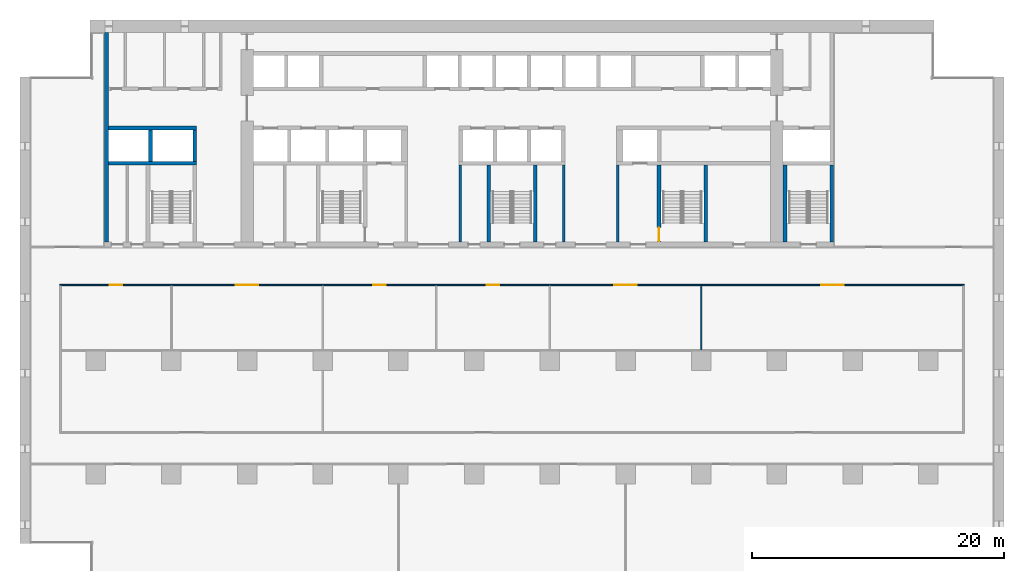
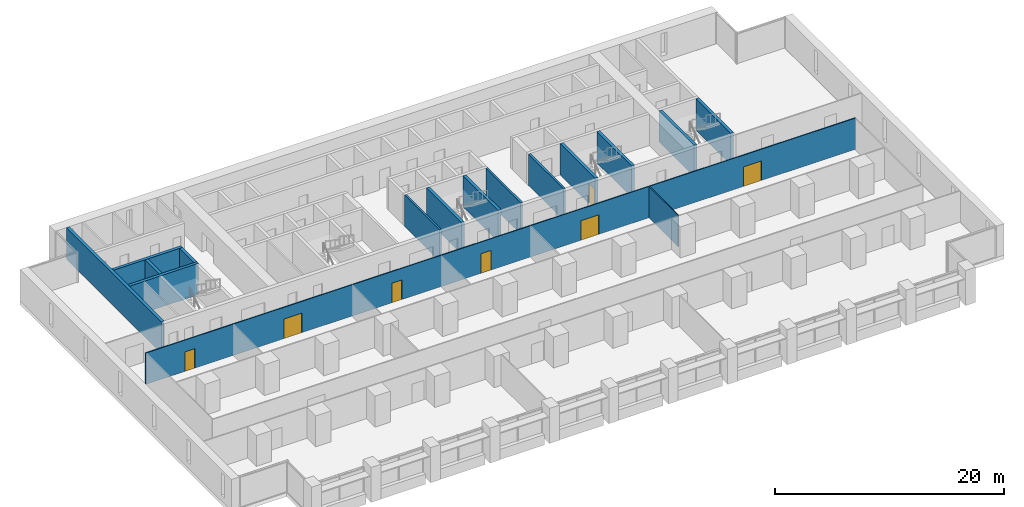
# One storey, part 10 of 17: 16 walls, 7 doors, 7 openings.
"""IFC4 building model written with IfcOpenShell, lengths in metres."""

from ifc_helpers import new_model, si_unit, direction, frame, frame_2d, origin, place, context, subcontext, project, spatial, rectangle, extrude, material, layer, layer_set, type_object, element, fill, save


model = new_model("IFC4")

# Units and contexts
model_context = context("Model", 3, precision=1e-05, world=origin(), true_north=direction((0.0, 1.0)))
body_context = subcontext(model_context, "Body", "Model", "MODEL_VIEW")
ifc_project = project(units=[si_unit("LENGTHUNIT", "METRE"), si_unit("AREAUNIT", "SQUARE_METRE"), si_unit("VOLUMEUNIT", "CUBIC_METRE"), si_unit("PLANEANGLEUNIT", "RADIAN"), si_unit("MASSUNIT", "GRAM", prefix="KILO")], contexts=[model_context])

# Site, building, storey
site_placement = place(None, origin())
site = spatial("IfcSite", under=ifc_project, at=site_placement, CompositionType="ELEMENT")
building_placement = place(site_placement, origin())
building = spatial("IfcBuilding", under=site, at=building_placement, Name="Calvaro Tower", CompositionType="ELEMENT")
storey_placement = place(building_placement, frame((0.0, 0.0, 71.25)))
storey = spatial("IfcBuildingStorey", under=building, at=storey_placement, Name="L17", CompositionType="ELEMENT", Elevation=71.25)

# Walls
ifc_material_1 = material(Name="Blockwork partition", Category="masonry")
ifc_layer_1 = layer(ifc_material_1, 0.199951171875)
ifc_layer_set_1 = layer_set([ifc_layer_1], Name="Blockwork partition")
wall_type_1 = type_object("IfcWallType", Name="Core partition 200 REI 120", PredefinedType="PARTITIONING", material=ifc_layer_set_1)
for number, where, z_axis, x_axis, name in (
    (1, (34.89990234375, 28.39990234375, 0.0), (0.0, 0.0, 1.0), (0.0, 1.0, 0.0), "Core partition"),
    (2, (43.10009765625, 28.39990234375, 0.0), (0.0, 0.0, 1.0), (0.0, 1.0, 0.0), "Core partition"),
    (3, (47.39990234375, 28.39990234375, 0.0), (0.0, 0.0, 1.0), (0.0, 1.0, 0.0), "Core partition"),
):
    element("IfcWall", number, at=place(storey_placement, frame(where, z_axis=z_axis, x_axis=x_axis)), inside=storey, type_object=wall_type_1, Name=name, PredefinedType="PARTITIONING", context=body_context, shape_type="SweptSolid", body=[
        extrude(rectangle(XDim=6.10009765625, YDim=0.199951171875, at=frame_2d((3.050048828125, 0.0))), origin(), (0.0, 0.0, 1.0), 3.35009765625),
    ])
ifc_material_2 = material(Name="Concrete C80/95", Category="concrete")
ifc_layer_2 = layer(ifc_material_2, 0.300048828125)
ifc_layer_set_2 = layer_set([ifc_layer_2], Name="Concrete C80/95")
wall_type_2 = type_object("IfcWallType", Name="Core wall C80/95 300", PredefinedType="SHEAR", material=ifc_layer_set_2)
wall_1_placement = place(storey_placement, frame((6.85009765625, 28.39990234375, 0.0), z_axis=(0.0, 0.0, 1.0), x_axis=(0.0, 1.0, 0.0)))
element("IfcWall", 4, at=wall_1_placement, inside=storey, type_object=wall_type_2, Name="Core wall, boundary", PredefinedType="SHEAR", context=body_context, shape_type="SweptSolid", body=[
    extrude(rectangle(XDim=16.60009765625, YDim=0.300048828125, at=frame_2d((8.300048828125, 0.0))), origin(), (0.0, 0.0, 1.0), 3.35009765625),
])
for number, where, z_axis, x_axis, name in (
    (5, (37.14990234375, 28.39990234375, 0.0), (0.0, 0.0, 1.0), (0.0, 1.0, 0.0), "Core wall, stair enclosure"),
    (6, (40.85009765625, 28.39990234375, 0.0), (0.0, 0.0, 1.0), (0.0, 1.0, 0.0), "Core wall, stair enclosure"),
):
    element("IfcWall", number, at=place(storey_placement, frame(where, z_axis=z_axis, x_axis=x_axis)), inside=storey, type_object=wall_type_2, Name=name, PredefinedType="SHEAR", context=body_context, shape_type="SweptSolid", body=[
        extrude(rectangle(XDim=6.10009765625, YDim=0.300048828125, at=frame_2d((3.050048828125, 0.0))), origin(), (0.0, 0.0, 1.0), 3.35009765625),
    ])

# Wall, opening, door
wall_2_placement = place(storey_placement, frame((50.64990234375, 34.5, 0.0), z_axis=(0.0, 0.0, 1.0), x_axis=(0.0, -1.0, 0.0)))
wall_2 = element("IfcWall", 7, at=wall_2_placement, inside=storey, type_object=wall_type_2, Name="Core wall, stair enclosure", PredefinedType="SHEAR", context=body_context, shape_type="SweptSolid", body=[
    extrude(rectangle(XDim=6.10009765625, YDim=0.300048828125, at=frame_2d((3.050048828125, 0.0))), origin(), (0.0, 0.0, 1.0), 3.35009765625),
])
opening_1_placement = place(wall_2_placement, frame((4.949951171875, 0.0, 0.0)))
opening_1 = element("IfcOpeningElement", 8, at=opening_1_placement, cuts=wall_2, Name="Opening FD11D", PredefinedType="OPENING", context=body_context, shape_type="SweptSolid", body=[
    extrude(rectangle(XDim=1.10009765625, YDim=2.10009765625, at=frame_2d((0.550048828125, 1.050048828125))), frame((0.0, 0.159912109375, 0.0), z_axis=(0.0, -1.0, 0.0), x_axis=(1.0, 0.0, 0.0)), (0.0, 0.0, 1.0), 0.320068359375),
])
ifc_material_3 = material(Name="Steel door set", Category="steel")
door_type_1 = type_object("IfcDoorType", Name="Fire door 1100 FD30S", OperationType="SINGLE_SWING_LEFT", PredefinedType="DOOR", material=ifc_material_3)
door_1_placement = place(opening_1_placement, origin())
door_1 = element("IfcDoor", 9, at=door_1_placement, inside=storey, type_object=door_type_1, Name="Fire door", OperationType="SINGLE_SWING_RIGHT", OverallHeight=2.10009765625, OverallWidth=1.10009765625, PredefinedType="DOOR", context=body_context, shape_type="SweptSolid", body=[
    extrude(rectangle(XDim=1.10009765625, YDim=2.10009765625, at=frame_2d((0.550048828125, 1.050048828125))), frame((0.0, 0.02490234375, 0.0), z_axis=(0.0, -1.0, 0.0), x_axis=(1.0, 0.0, 0.0)), (0.0, 0.0, 1.0), 0.050048828125),
])
fill(opening_1, door_1)

# Walls
for number, where, z_axis, x_axis, name in (
    (10, (54.35009765625, 28.39990234375, 0.0), (0.0, 0.0, 1.0), (0.0, 1.0, 0.0), "Core wall, stair enclosure"),
    (11, (60.64990234375, 28.39990234375, 0.0), (0.0, 0.0, 1.0), (0.0, 1.0, 0.0), "Core wall, stair enclosure"),
    (12, (64.35009765625, 28.39990234375, 0.0), (0.0, 0.0, 1.0), (0.0, 1.0, 0.0), "Core wall, stair enclosure"),
):
    element("IfcWall", number, at=place(storey_placement, frame(where, z_axis=z_axis, x_axis=x_axis)), inside=storey, type_object=wall_type_2, Name=name, PredefinedType="SHEAR", context=body_context, shape_type="SweptSolid", body=[
        extrude(rectangle(XDim=6.10009765625, YDim=0.300048828125, at=frame_2d((3.050048828125, 0.0))), origin(), (0.0, 0.0, 1.0), 3.35009765625),
    ])
for number, where, z_axis, x_axis, name in (
    (13, (7.0, 34.64990234375, 0.0), (0.0, 0.0, 1.0), (1.0, 0.0, 0.0), "Core wall, lift shaft"),
    (14, (7.0, 37.449951171875, 0.0), (0.0, 0.0, 1.0), (1.0, 0.0, 0.0), "Core wall, lift shaft"),
):
    element("IfcWall", number, at=place(storey_placement, frame(where, z_axis=z_axis, x_axis=x_axis)), inside=storey, type_object=wall_type_2, Name=name, PredefinedType="SHEAR", context=body_context, shape_type="SweptSolid", body=[
        extrude(rectangle(XDim=7.0, YDim=0.300048828125, at=frame_2d((3.5, 0.0))), origin(), (0.0, 0.0, 1.0), 3.35009765625),
    ])
for number, where, z_axis, x_axis, name in (
    (15, (13.85009765625, 34.800048828125, 0.0), (0.0, 0.0, 1.0), (0.0, 1.0, 0.0), "Core wall, lift shaft"),
    (16, (10.35009765625, 34.800048828125, 0.0), (0.0, 0.0, 1.0), (0.0, 1.0, 0.0), "Core wall, lift shaft"),
):
    element("IfcWall", number, at=place(storey_placement, frame(where, z_axis=z_axis, x_axis=x_axis)), inside=storey, type_object=wall_type_2, Name=name, PredefinedType="SHEAR", context=body_context, shape_type="SweptSolid", body=[
        extrude(rectangle(XDim=2.5, YDim=0.300048828125, at=frame_2d((1.25, 0.0))), origin(), (0.0, 0.0, 1.0), 3.35009765625),
    ])
ifc_material_4 = material(Name="Plasterboard on steel studs", Category="steel")
ifc_layer_3 = layer(ifc_material_4, 0.10009765625)
ifc_layer_set_3 = layer_set([ifc_layer_3], Name="Plasterboard on steel studs")
wall_type_3 = type_object("IfcWallType", Name="Partition 100", PredefinedType="PARTITIONING", material=ifc_layer_set_3)
wall_3_placement = place(storey_placement, frame((54.0, 19.85009765625, 0.0), z_axis=(0.0, 0.0, 1.0), x_axis=(0.0, 1.0, 0.0)))
element("IfcWall", 17, at=wall_3_placement, inside=storey, type_object=wall_type_3, Name="Partition T13.W015", PredefinedType="PARTITIONING", context=body_context, shape_type="SweptSolid", body=[
    extrude(rectangle(XDim=5.099853515625, YDim=0.10009765625, at=frame_2d((2.5498046875, 0.0))), origin(), (0.0, 0.0, 1.0), 3.35009765625),
])

# Wall, openings, doors
ifc_material_5 = material(Name="Plasterboard on steel studs", Category="steel")
ifc_layer_4 = layer(ifc_material_5, 0.10009765625)
ifc_layer_set_4 = layer_set([ifc_layer_4], Name="Plasterboard on steel studs")
wall_type_4 = type_object("IfcWallType", Name="Partition 100 REI 120", PredefinedType="PARTITIONING", material=ifc_layer_set_4)
wall_4_placement = place(storey_placement, frame((3.14990234375, 25.0, 0.0), z_axis=(0.0, 0.0, 1.0), x_axis=(1.0, 0.0, 0.0)))
wall_4 = element("IfcWall", 18, at=wall_4_placement, inside=storey, type_object=wall_type_4, Name="Partition T13.W004", PredefinedType="PARTITIONING", context=body_context, shape_type="SweptSolid", body=[
    extrude(rectangle(XDim=71.7001953125, YDim=0.10009765625, at=frame_2d((35.85009765625, 0.0))), origin(), (0.0, 0.0, 1.0), 3.35009765625),
])
opening_2_placement = place(wall_4_placement, frame((3.949951171875, 0.0, 0.0)))
opening_2 = element("IfcOpeningElement", 19, at=opening_2_placement, cuts=wall_4, Name="Opening T13.010", PredefinedType="OPENING", context=body_context, shape_type="SweptSolid", body=[
    extrude(rectangle(XDim=1.0, YDim=2.10009765625, at=frame_2d((0.5, 1.050048828125))), frame((0.0, 0.06005859375, 0.0), z_axis=(0.0, -1.0, 0.0), x_axis=(1.0, 0.0, 0.0)), (0.0, 0.0, 1.0), 0.1201171875),
])
opening_3_placement = place(wall_4_placement, frame((13.949951171875, 0.0, 0.0)))
opening_3 = element("IfcOpeningElement", 20, at=opening_3_placement, cuts=wall_4, Name="Opening T13.011", PredefinedType="OPENING", context=body_context, shape_type="SweptSolid", body=[
    extrude(rectangle(XDim=1.800048828125, YDim=2.10009765625, at=frame_2d((0.89990234375, 1.050048828125))), frame((0.0, 0.06005859375, 0.0), z_axis=(0.0, -1.0, 0.0), x_axis=(1.0, 0.0, 0.0)), (0.0, 0.0, 1.0), 0.1201171875),
])
opening_4_placement = place(wall_4_placement, frame((24.85009765625, 0.0, 0.0)))
opening_4 = element("IfcOpeningElement", 21, at=opening_4_placement, cuts=wall_4, Name="Opening T13.012", PredefinedType="OPENING", context=body_context, shape_type="SweptSolid", body=[
    extrude(rectangle(XDim=1.0, YDim=2.10009765625, at=frame_2d((0.5, 1.050048828125))), frame((0.0, 0.06005859375, 0.0), z_axis=(0.0, -1.0, 0.0), x_axis=(1.0, 0.0, 0.0)), (0.0, 0.0, 1.0), 0.1201171875),
])
opening_5_placement = place(wall_4_placement, frame((33.85009765625, 0.0, 0.0)))
opening_5 = element("IfcOpeningElement", 22, at=opening_5_placement, cuts=wall_4, Name="Opening T13.013", PredefinedType="OPENING", context=body_context, shape_type="SweptSolid", body=[
    extrude(rectangle(XDim=1.0, YDim=2.10009765625, at=frame_2d((0.5, 1.050048828125))), frame((0.0, 0.06005859375, 0.0), z_axis=(0.0, -1.0, 0.0), x_axis=(1.0, 0.0, 0.0)), (0.0, 0.0, 1.0), 0.1201171875),
])
opening_6_placement = place(wall_4_placement, frame((43.949951171875, 0.0, 0.0)))
opening_6 = element("IfcOpeningElement", 23, at=opening_6_placement, cuts=wall_4, Name="Opening T13.014", PredefinedType="OPENING", context=body_context, shape_type="SweptSolid", body=[
    extrude(rectangle(XDim=1.800048828125, YDim=2.10009765625, at=frame_2d((0.89990234375, 1.050048828125))), frame((0.0, 0.06005859375, 0.0), z_axis=(0.0, -1.0, 0.0), x_axis=(1.0, 0.0, 0.0)), (0.0, 0.0, 1.0), 0.1201171875),
])
opening_7_placement = place(wall_4_placement, frame((60.35009765625, 0.0, 0.0)))
opening_7 = element("IfcOpeningElement", 24, at=opening_7_placement, cuts=wall_4, Name="Opening T13.015", PredefinedType="OPENING", context=body_context, shape_type="SweptSolid", body=[
    extrude(rectangle(XDim=1.800048828125, YDim=2.10009765625, at=frame_2d((0.89990234375, 1.050048828125))), frame((0.0, 0.06005859375, 0.0), z_axis=(0.0, -1.0, 0.0), x_axis=(1.0, 0.0, 0.0)), (0.0, 0.0, 1.0), 0.1201171875),
])
ifc_material_6 = material(Name="Timber", Category="wood")
door_type_2 = type_object("IfcDoorType", Name="Internal double door 1800 x 2100", OperationType="DOUBLE_DOOR_SINGLE_SWING", PredefinedType="DOOR", material=ifc_material_6)
door_2_placement = place(opening_3_placement, origin())
door_2 = element("IfcDoor", 25, at=door_2_placement, inside=storey, type_object=door_type_2, Name="Door T13.011", OperationType="DOUBLE_DOOR_SINGLE_SWING", OverallHeight=2.10009765625, OverallWidth=1.800048828125, PredefinedType="DOOR", context=body_context, shape_type="SweptSolid", body=[
    extrude(rectangle(XDim=1.800048828125, YDim=2.10009765625, at=frame_2d((0.89990234375, 1.050048828125))), frame((0.0, 0.02490234375, 0.0), z_axis=(0.0, -1.0, 0.0), x_axis=(1.0, 0.0, 0.0)), (0.0, 0.0, 1.0), 0.050048828125),
])
fill(opening_3, door_2)
door_3_placement = place(opening_6_placement, origin())
door_3 = element("IfcDoor", 26, at=door_3_placement, inside=storey, type_object=door_type_2, Name="Door T13.014", OperationType="DOUBLE_DOOR_SINGLE_SWING", OverallHeight=2.10009765625, OverallWidth=1.800048828125, PredefinedType="DOOR", context=body_context, shape_type="SweptSolid", body=[
    extrude(rectangle(XDim=1.800048828125, YDim=2.10009765625, at=frame_2d((0.89990234375, 1.050048828125))), frame((0.0, 0.02490234375, 0.0), z_axis=(0.0, -1.0, 0.0), x_axis=(1.0, 0.0, 0.0)), (0.0, 0.0, 1.0), 0.050048828125),
])
fill(opening_6, door_3)
door_4_placement = place(opening_7_placement, origin())
door_4 = element("IfcDoor", 27, at=door_4_placement, inside=storey, type_object=door_type_2, Name="Door T13.015", OperationType="DOUBLE_DOOR_SINGLE_SWING", OverallHeight=2.10009765625, OverallWidth=1.800048828125, PredefinedType="DOOR", context=body_context, shape_type="SweptSolid", body=[
    extrude(rectangle(XDim=1.800048828125, YDim=2.10009765625, at=frame_2d((0.89990234375, 1.050048828125))), frame((0.0, 0.02490234375, 0.0), z_axis=(0.0, -1.0, 0.0), x_axis=(1.0, 0.0, 0.0)), (0.0, 0.0, 1.0), 0.050048828125),
])
fill(opening_7, door_4)
ifc_material_7 = material(Name="Timber", Category="wood")
door_type_3 = type_object("IfcDoorType", Name="Internal single door 1000 x 2100", OperationType="SINGLE_SWING_LEFT", PredefinedType="DOOR", material=ifc_material_7)
door_5_placement = place(opening_2_placement, origin())
door_5 = element("IfcDoor", 28, at=door_5_placement, inside=storey, type_object=door_type_3, Name="Door T13.010", OperationType="SINGLE_SWING_LEFT", OverallHeight=2.10009765625, OverallWidth=1.0, PredefinedType="DOOR", context=body_context, shape_type="SweptSolid", body=[
    extrude(rectangle(XDim=1.0, YDim=2.10009765625, at=frame_2d((0.5, 1.050048828125))), frame((0.0, 0.02490234375, 0.0), z_axis=(0.0, -1.0, 0.0), x_axis=(1.0, 0.0, 0.0)), (0.0, 0.0, 1.0), 0.050048828125),
])
fill(opening_2, door_5)
door_6_placement = place(opening_4_placement, origin())
door_6 = element("IfcDoor", 29, at=door_6_placement, inside=storey, type_object=door_type_3, Name="Door T13.012", OperationType="SINGLE_SWING_LEFT", OverallHeight=2.10009765625, OverallWidth=1.0, PredefinedType="DOOR", context=body_context, shape_type="SweptSolid", body=[
    extrude(rectangle(XDim=1.0, YDim=2.10009765625, at=frame_2d((0.5, 1.050048828125))), frame((0.0, 0.02490234375, 0.0), z_axis=(0.0, -1.0, 0.0), x_axis=(1.0, 0.0, 0.0)), (0.0, 0.0, 1.0), 0.050048828125),
])
fill(opening_4, door_6)
ifc_material_8 = material(Name="Timber", Category="wood")
door_type_4 = type_object("IfcDoorType", Name="Internal single door 1000 x 2100 FD60", OperationType="SINGLE_SWING_LEFT", PredefinedType="DOOR", material=ifc_material_8)
door_7_placement = place(opening_5_placement, origin())
door_7 = element("IfcDoor", 30, at=door_7_placement, inside=storey, type_object=door_type_4, Name="Door T13.013", OperationType="SINGLE_SWING_LEFT", OverallHeight=2.10009765625, OverallWidth=1.0, PredefinedType="DOOR", context=body_context, shape_type="SweptSolid", body=[
    extrude(rectangle(XDim=1.0, YDim=2.10009765625, at=frame_2d((0.5, 1.050048828125))), frame((0.0, 0.02490234375, 0.0), z_axis=(0.0, -1.0, 0.0), x_axis=(1.0, 0.0, 0.0)), (0.0, 0.0, 1.0), 0.050048828125),
])
fill(opening_5, door_7)

save(model, "model.ifc")
